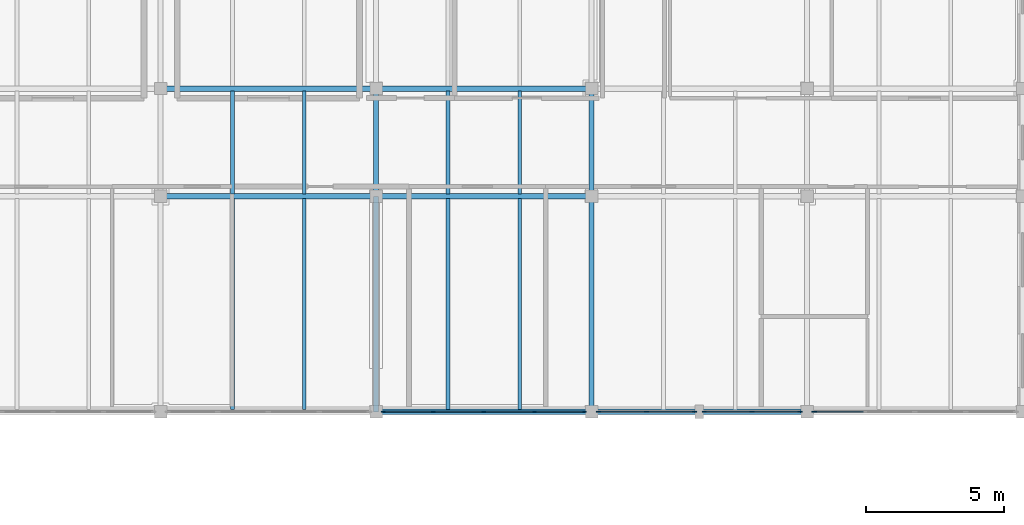
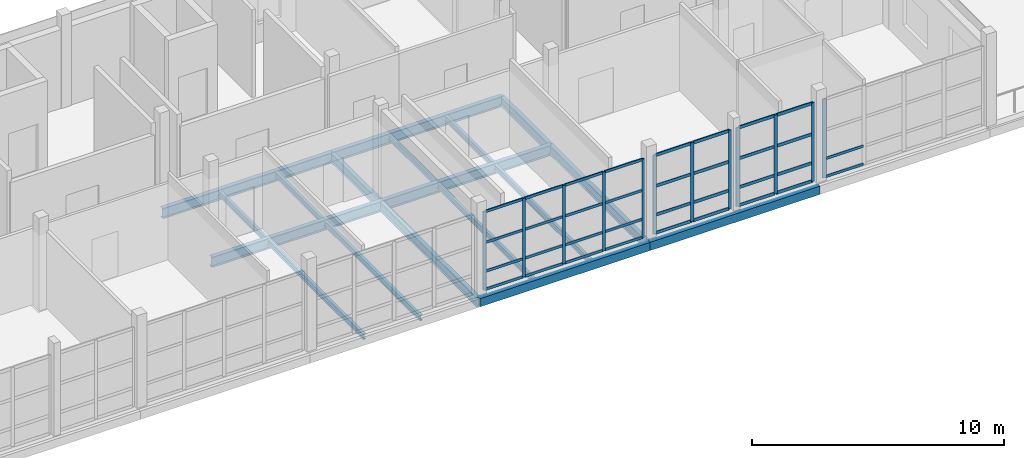
# One storey, part 10 of 45: 46 members, 18 beams, 4 elements without a shape of their own.
"""IFC4 building model written with IfcOpenShell, lengths in metres."""

from ifc_helpers import new_model, si_unit, direction, frame, origin, origin_2d, place, context, subcontext, project, spatial, rectangle, hollow_rectangle, i_section, extrude, material, layer, layer_set, material_profile, profile_set, type_object, element, aggregate, save


model = new_model("IFC4")

# Units and contexts
model_context = context("Model", 3, precision=1e-05, world=origin(), true_north=direction((0.0, 1.0)))
body_context = subcontext(model_context, "Body", "Model", "MODEL_VIEW")
ifc_project = project(units=[si_unit("LENGTHUNIT", "METRE"), si_unit("AREAUNIT", "SQUARE_METRE"), si_unit("VOLUMEUNIT", "CUBIC_METRE"), si_unit("PLANEANGLEUNIT", "RADIAN"), si_unit("MASSUNIT", "GRAM", prefix="KILO")], contexts=[model_context])

# Site, building, storey
site_placement = place(None, origin())
site = spatial("IfcSite", under=ifc_project, at=site_placement, CompositionType="ELEMENT")
building_placement = place(site_placement, origin())
building = spatial("IfcBuilding", under=site, at=building_placement, Name="Celorna Specialist Clinic", CompositionType="ELEMENT")
storey_placement = place(building_placement, frame((0.0, 0.0, 18.60009765625)))
storey = spatial("IfcBuildingStorey", under=building, at=storey_placement, Name="L04", CompositionType="ELEMENT", Elevation=18.60009765625)

# Beams
ifc_material_1 = material(Name="Steel S355", Category="steel")
ifc_material_profile_1 = material_profile(ifc_material_1, i_section(OverallWidth=0.199951171875, OverallDepth=0.5, WebThickness=0.01025390625, FlangeThickness=0.01611328125, at=origin_2d()), Name="IPE 500")
ifc_profile_set_1 = profile_set([ifc_material_profile_1], Name="Steel S355")
beam_type_1 = type_object("IfcBeamType", Name="BM-08", PredefinedType="BEAM", material=ifc_profile_set_1)
for number, where, z_axis, x_axis, name in (
    (1, (62.39990234375, 104.300048828125, -0.530029296875), (1.0, 0.0, 0.0), (0.0, 1.0, 0.0), "Primary girder BM-08 #1347"),
    (2, (70.199951171875, 104.300048828125, -0.530029296875), (1.0, 0.0, 0.0), (0.0, 1.0, 0.0), "Primary girder BM-08 #1348"),
    (3, (62.39990234375, 108.199951171875, -0.530029296875), (1.0, 0.0, 0.0), (0.0, 1.0, 0.0), "Primary girder BM-08 #1353"),
    (4, (70.199951171875, 108.199951171875, -0.530029296875), (1.0, 0.0, 0.0), (0.0, 1.0, 0.0), "Primary girder BM-08 #1354"),
):
    element("IfcBeam", number, at=place(storey_placement, frame(where, z_axis=z_axis, x_axis=x_axis)), inside=storey, type_object=beam_type_1, Name=name, PredefinedType="BEAM", context=body_context, shape_type="SweptSolid", body=[
        extrude(i_section(OverallWidth=0.199951171875, OverallDepth=0.5, WebThickness=0.01025390625, FlangeThickness=0.01611328125, at=origin_2d()), origin(), (0.0, 0.0, 1.0), 7.800048828125),
    ])
ifc_material_profile_2 = material_profile(ifc_material_1, i_section(OverallWidth=0.18994140625, OverallDepth=0.449951171875, WebThickness=0.009521484375, FlangeThickness=0.0146484375, at=origin_2d()), Name="IPE 450")
ifc_profile_set_2 = profile_set([ifc_material_profile_2], Name="Steel S355")
beam_type_2 = type_object("IfcBeamType", Name="BM-09", PredefinedType="BEAM", material=ifc_profile_set_2)
beam_1_placement = place(storey_placement, frame((70.199951171875, 96.5, -0.505126953125), z_axis=(0.0, 1.0, 0.0), x_axis=(-1.0, 0.0, 0.0)))
element("IfcBeam", 5, at=beam_1_placement, inside=storey, type_object=beam_type_2, Name="Transverse girder BM-09 #1372", PredefinedType="BEAM", context=body_context, shape_type="SweptSolid", body=[
    extrude(i_section(OverallWidth=0.18994140625, OverallDepth=0.449951171875, WebThickness=0.009521484375, FlangeThickness=0.0146484375, at=origin_2d()), origin(), (0.0, 0.0, 1.0), 7.800048828125),
])
beam_2_placement = place(storey_placement, frame((70.199951171875, 104.300048828125, -0.505126953125), z_axis=(0.0, 1.0, 0.0), x_axis=(-1.0, 0.0, 0.0)))
element("IfcBeam", 6, at=beam_2_placement, inside=storey, type_object=beam_type_2, Name="Transverse girder BM-09 #1373", PredefinedType="BEAM", context=body_context, shape_type="SweptSolid", body=[
    extrude(i_section(OverallWidth=0.18994140625, OverallDepth=0.449951171875, WebThickness=0.009521484375, FlangeThickness=0.0146484375, at=origin_2d()), origin(), (0.0, 0.0, 1.0), 3.89990234375),
])
beam_3_placement = place(storey_placement, frame((78.0, 96.5, -0.505126953125), z_axis=(0.0, 1.0, 0.0), x_axis=(-1.0, 0.0, 0.0)))
element("IfcBeam", 7, at=beam_3_placement, inside=storey, type_object=beam_type_2, Name="Transverse girder BM-09 #1375", PredefinedType="BEAM", context=body_context, shape_type="SweptSolid", body=[
    extrude(i_section(OverallWidth=0.18994140625, OverallDepth=0.449951171875, WebThickness=0.009521484375, FlangeThickness=0.0146484375, at=origin_2d()), origin(), (0.0, 0.0, 1.0), 7.800048828125),
])
beam_4_placement = place(storey_placement, frame((78.0, 104.300048828125, -0.505126953125), z_axis=(0.0, 1.0, 0.0), x_axis=(-1.0, 0.0, 0.0)))
element("IfcBeam", 8, at=beam_4_placement, inside=storey, type_object=beam_type_2, Name="Transverse girder BM-09 #1376", PredefinedType="BEAM", context=body_context, shape_type="SweptSolid", body=[
    extrude(i_section(OverallWidth=0.18994140625, OverallDepth=0.449951171875, WebThickness=0.009521484375, FlangeThickness=0.0146484375, at=origin_2d()), origin(), (0.0, 0.0, 1.0), 3.89990234375),
])
ifc_material_profile_3 = material_profile(ifc_material_1, i_section(OverallWidth=0.135009765625, OverallDepth=0.27001953125, WebThickness=0.006591796875, FlangeThickness=0.01025390625, at=origin_2d()), Name="IPE 270")
ifc_profile_set_3 = profile_set([ifc_material_profile_3], Name="Steel S355")
beam_type_3 = type_object("IfcBeamType", Name="BM-14", PredefinedType="JOIST", material=ifc_profile_set_3)
for number, where, z_axis, x_axis, name in (
    (9, (65.0, 96.587890625, -0.4150390625), (0.0, 1.0, 0.0), (-1.0, 0.0, 0.0), "Secondary floor joist BM-14 #1394"),
    (10, (67.60009765625, 96.587890625, -0.4150390625), (0.0, 1.0, 0.0), (-1.0, 0.0, 0.0), "Secondary floor joist BM-14 #1395"),
):
    element("IfcBeam", number, at=place(storey_placement, frame(where, z_axis=z_axis, x_axis=x_axis)), inside=storey, type_object=beam_type_3, Name=name, PredefinedType="JOIST", context=body_context, shape_type="SweptSolid", body=[
        extrude(i_section(OverallWidth=0.135009765625, OverallDepth=0.27001953125, WebThickness=0.006591796875, FlangeThickness=0.01025390625, at=origin_2d()), origin(), (0.0, 0.0, 1.0), 7.6240234375),
    ])
for number, where, z_axis, x_axis, name in (
    (11, (65.0, 104.387939453125, -0.4150390625), (0.0, 1.0, 0.0), (-1.0, 0.0, 0.0), "Secondary floor joist BM-14 #1396"),
    (12, (67.60009765625, 104.387939453125, -0.4150390625), (0.0, 1.0, 0.0), (-1.0, 0.0, 0.0), "Secondary floor joist BM-14 #1397"),
):
    element("IfcBeam", number, at=place(storey_placement, frame(where, z_axis=z_axis, x_axis=x_axis)), inside=storey, type_object=beam_type_3, Name=name, PredefinedType="JOIST", context=body_context, shape_type="SweptSolid", body=[
        extrude(i_section(OverallWidth=0.135009765625, OverallDepth=0.27001953125, WebThickness=0.006591796875, FlangeThickness=0.01025390625, at=origin_2d()), origin(), (0.0, 0.0, 1.0), 3.72412109375),
    ])
for number, where, z_axis, x_axis, name in (
    (13, (72.800048828125, 96.587890625, -0.4150390625), (0.0, 1.0, 0.0), (-1.0, 0.0, 0.0), "Secondary floor joist BM-14 #1400"),
    (14, (75.39990234375, 96.587890625, -0.4150390625), (0.0, 1.0, 0.0), (-1.0, 0.0, 0.0), "Secondary floor joist BM-14 #1401"),
):
    element("IfcBeam", number, at=place(storey_placement, frame(where, z_axis=z_axis, x_axis=x_axis)), inside=storey, type_object=beam_type_3, Name=name, PredefinedType="JOIST", context=body_context, shape_type="SweptSolid", body=[
        extrude(i_section(OverallWidth=0.135009765625, OverallDepth=0.27001953125, WebThickness=0.006591796875, FlangeThickness=0.01025390625, at=origin_2d()), origin(), (0.0, 0.0, 1.0), 7.6240234375),
    ])
for number, where, z_axis, x_axis, name in (
    (15, (72.800048828125, 104.387939453125, -0.4150390625), (0.0, 1.0, 0.0), (-1.0, 0.0, 0.0), "Secondary floor joist BM-14 #1402"),
    (16, (75.39990234375, 104.387939453125, -0.4150390625), (0.0, 1.0, 0.0), (-1.0, 0.0, 0.0), "Secondary floor joist BM-14 #1403"),
):
    element("IfcBeam", number, at=place(storey_placement, frame(where, z_axis=z_axis, x_axis=x_axis)), inside=storey, type_object=beam_type_3, Name=name, PredefinedType="JOIST", context=body_context, shape_type="SweptSolid", body=[
        extrude(i_section(OverallWidth=0.135009765625, OverallDepth=0.27001953125, WebThickness=0.006591796875, FlangeThickness=0.01025390625, at=origin_2d()), origin(), (0.0, 0.0, 1.0), 3.72412109375),
    ])
ifc_material_profile_4 = material_profile(ifc_material_1, hollow_rectangle(XDim=0.199951171875, YDim=0.39990234375, WallThickness=0.011962890625, at=origin_2d()), Name="RHS 200x400x12")
ifc_profile_set_4 = profile_set([ifc_material_profile_4], Name="Steel S355")
beam_type_4 = type_object("IfcBeamType", Name="BM-15", PredefinedType="SPANDREL", material=ifc_profile_set_4)
for number, where, z_axis, x_axis, name in (
    (17, (70.199951171875, 96.5, -0.47998046875), (1.0, 0.0, 0.0), (0.0, 1.0, 0.0), "Spandrel beam BM-15 #1342"),
    (18, (78.0, 96.5, -0.47998046875), (1.0, 0.0, 0.0), (0.0, 1.0, 0.0), "Spandrel beam BM-15 #1343"),
):
    element("IfcBeam", number, at=place(storey_placement, frame(where, z_axis=z_axis, x_axis=x_axis)), inside=storey, type_object=beam_type_4, Name=name, PredefinedType="SPANDREL", context=body_context, shape_type="SweptSolid", body=[
        extrude(hollow_rectangle(XDim=0.199951171875, YDim=0.39990234375, WallThickness=0.011962890625, at=origin_2d()), origin(), (0.0, 0.0, 1.0), 7.800048828125),
    ])

# Curtain wall, members
ifc_material_2 = material(Name="Thermally broken aluminium and solar-control glass curtain wall", Category="aluminium")
ifc_layer_1 = layer(ifc_material_2, 0.159912109375, Name="Thermally broken aluminium and solar-control glass curtain wall")
ifc_layer_set_1 = layer_set([ifc_layer_1], Name="Thermally broken aluminium and solar-control glass curtain wall")
curtain_wall_type_1 = type_object("IfcCurtainWallType", Name="CW-76", PredefinedType="NOTDEFINED", material=ifc_layer_set_1)
curtain_wall_1_placement = place(storey_placement, origin())
curtain_wall_1 = element("IfcCurtainWall", 19, at=curtain_wall_1_placement, inside=storey, type_object=curtain_wall_type_1, Name="Curtain wall CW-76 #142", PredefinedType="NOTDEFINED")
ifc_material_3 = material(Name="Anodized aluminium mullion", Category="aluminium")
ifc_material_profile_5 = material_profile(ifc_material_3, rectangle(XDim=0.050048828125, YDim=0.159912109375, at=origin_2d()), Name="ALU MULLION 50x160")
ifc_profile_set_5 = profile_set([ifc_material_profile_5], Name="Anodized aluminium mullion")
member_type_1 = type_object("IfcMemberType", Name="ML-01", PredefinedType="MULLION", material=ifc_profile_set_5)
member_1_placement = place(storey_placement, frame((85.5458984375, 96.5, 0.0), z_axis=(0.0, 0.0, 1.0), x_axis=(0.0, -1.0, 0.0)))
member_1 = element("IfcMember", 20, at=member_1_placement, type_object=member_type_1, Name="CW-76 mullion 1", PredefinedType="MULLION", context=body_context, shape_type="SweptSolid", body=[
    extrude(rectangle(XDim=0.050048828125, YDim=0.159912109375, at=origin_2d()), origin(), (0.0, 0.0, 1.0), 3.81982421875),
])
member_2_placement = place(storey_placement, frame((83.8125, 96.5, 0.0), z_axis=(0.0, 0.0, 1.0), x_axis=(0.0, -1.0, 0.0)))
member_2 = element("IfcMember", 21, at=member_2_placement, type_object=member_type_1, Name="CW-76 mullion 2", PredefinedType="MULLION", context=body_context, shape_type="SweptSolid", body=[
    extrude(rectangle(XDim=0.050048828125, YDim=0.159912109375, at=origin_2d()), origin(), (0.0, 0.0, 1.0), 3.81982421875),
])
member_3_placement = place(storey_placement, frame((82.0791015625, 96.5, 0.0), z_axis=(0.0, 0.0, 1.0), x_axis=(0.0, -1.0, 0.0)))
member_3 = element("IfcMember", 22, at=member_3_placement, type_object=member_type_1, Name="CW-76 mullion 3", PredefinedType="MULLION", context=body_context, shape_type="SweptSolid", body=[
    extrude(rectangle(XDim=0.050048828125, YDim=0.159912109375, at=origin_2d()), origin(), (0.0, 0.0, 1.0), 3.81982421875),
])

curtain_wall_2_placement = place(storey_placement, origin())
curtain_wall_2 = element("IfcCurtainWall", 23, at=curtain_wall_2_placement, inside=storey, type_object=curtain_wall_type_1, Name="Curtain wall CW-76 #143", PredefinedType="NOTDEFINED")
member_4_placement = place(storey_placement, frame((81.720947265625, 96.5, 0.0), z_axis=(0.0, 0.0, 1.0), x_axis=(0.0, -1.0, 0.0)))
member_4 = element("IfcMember", 24, at=member_4_placement, type_object=member_type_1, Name="CW-76 mullion 1", PredefinedType="MULLION", context=body_context, shape_type="SweptSolid", body=[
    extrude(rectangle(XDim=0.050048828125, YDim=0.159912109375, at=origin_2d()), origin(), (0.0, 0.0, 1.0), 3.81982421875),
])
member_5_placement = place(storey_placement, frame((79.987548828125, 96.5, 0.0), z_axis=(0.0, 0.0, 1.0), x_axis=(0.0, -1.0, 0.0)))
member_5 = element("IfcMember", 25, at=member_5_placement, type_object=member_type_1, Name="CW-76 mullion 2", PredefinedType="MULLION", context=body_context, shape_type="SweptSolid", body=[
    extrude(rectangle(XDim=0.050048828125, YDim=0.159912109375, at=origin_2d()), origin(), (0.0, 0.0, 1.0), 3.81982421875),
])
member_6_placement = place(storey_placement, frame((78.25390625, 96.5, 0.0), z_axis=(0.0, 0.0, 1.0), x_axis=(0.0, -1.0, 0.0)))
member_6 = element("IfcMember", 26, at=member_6_placement, type_object=member_type_1, Name="CW-76 mullion 3", PredefinedType="MULLION", context=body_context, shape_type="SweptSolid", body=[
    extrude(rectangle(XDim=0.050048828125, YDim=0.159912109375, at=origin_2d()), origin(), (0.0, 0.0, 1.0), 3.81982421875),
])

# Curtain wall, member
ifc_layer_2 = layer(ifc_material_2, 0.159912109375, Name="Thermally broken aluminium and solar-control glass curtain wall")
ifc_layer_set_2 = layer_set([ifc_layer_2], Name="Thermally broken aluminium and solar-control glass curtain wall")
curtain_wall_type_2 = type_object("IfcCurtainWallType", Name="CW-74", PredefinedType="NOTDEFINED", material=ifc_layer_set_2)
curtain_wall_3_placement = place(storey_placement, origin())
curtain_wall_3 = element("IfcCurtainWall", 27, at=curtain_wall_3_placement, inside=storey, type_object=curtain_wall_type_2, Name="Curtain wall CW-74 #144", PredefinedType="NOTDEFINED")
ifc_material_profile_6 = material_profile(ifc_material_3, rectangle(XDim=0.050048828125, YDim=0.179931640625, at=origin_2d()), Name="ALU MULLION 50x180")
ifc_profile_set_6 = profile_set([ifc_material_profile_6], Name="Anodized aluminium mullion")
member_type_2 = type_object("IfcMemberType", Name="ML-02", PredefinedType="MULLION", material=ifc_profile_set_6)
member_7_placement = place(storey_placement, frame((86.053955078125, 96.5, 0.0), z_axis=(0.0, 0.0, 1.0), x_axis=(0.0, -1.0, 0.0)))
member_7 = element("IfcMember", 28, at=member_7_placement, type_object=member_type_2, Name="CW-74 mullion 5", PredefinedType="MULLION", context=body_context, shape_type="SweptSolid", body=[
    extrude(rectangle(XDim=0.050048828125, YDim=0.179931640625, at=origin_2d()), origin(), (0.0, 0.0, 1.0), 3.81982421875),
])

# Curtain wall, members
ifc_layer_3 = layer(ifc_material_2, 0.159912109375, Name="Thermally broken aluminium and solar-control glass curtain wall")
ifc_layer_set_3 = layer_set([ifc_layer_3], Name="Thermally broken aluminium and solar-control glass curtain wall")
curtain_wall_type_3 = type_object("IfcCurtainWallType", Name="CW-75", PredefinedType="NOTDEFINED", material=ifc_layer_set_3)
curtain_wall_4_placement = place(storey_placement, origin())
curtain_wall_4 = element("IfcCurtainWall", 29, at=curtain_wall_4_placement, inside=storey, type_object=curtain_wall_type_3, Name="Curtain wall CW-75 #141", PredefinedType="NOTDEFINED")
ifc_material_profile_7 = material_profile(ifc_material_3, rectangle(XDim=0.050048828125, YDim=0.139892578125, at=origin_2d()), Name="ALU MULLION 50x140")
ifc_profile_set_7 = profile_set([ifc_material_profile_7], Name="Anodized aluminium mullion")
member_type_3 = type_object("IfcMemberType", Name="ML-03", PredefinedType="MULLION", material=ifc_profile_set_7)
member_8_placement = place(storey_placement, frame((77.74609375, 96.5, 0.0), z_axis=(0.0, 0.0, 1.0), x_axis=(0.0, -1.0, 0.0)))
member_8 = element("IfcMember", 30, at=member_8_placement, type_object=member_type_3, Name="CW-75 mullion 1", PredefinedType="MULLION", context=body_context, shape_type="SweptSolid", body=[
    extrude(rectangle(XDim=0.050048828125, YDim=0.139892578125, at=origin_2d()), origin(), (0.0, 0.0, 1.0), 3.81982421875),
])
member_9_placement = place(storey_placement, frame((75.935546875, 96.5, 0.0), z_axis=(0.0, 0.0, 1.0), x_axis=(0.0, -1.0, 0.0)))
member_9 = element("IfcMember", 31, at=member_9_placement, type_object=member_type_3, Name="CW-75 mullion 2", PredefinedType="MULLION", context=body_context, shape_type="SweptSolid", body=[
    extrude(rectangle(XDim=0.050048828125, YDim=0.139892578125, at=origin_2d()), origin(), (0.0, 0.0, 1.0), 3.81982421875),
])
member_10_placement = place(storey_placement, frame((74.10009765625, 96.5, 0.0), z_axis=(0.0, 0.0, 1.0), x_axis=(0.0, -1.0, 0.0)))
member_10 = element("IfcMember", 32, at=member_10_placement, type_object=member_type_3, Name="CW-75 mullion 3", PredefinedType="MULLION", context=body_context, shape_type="SweptSolid", body=[
    extrude(rectangle(XDim=0.050048828125, YDim=0.139892578125, at=origin_2d()), origin(), (0.0, 0.0, 1.0), 3.81982421875),
])
member_11_placement = place(storey_placement, frame((72.264404296875, 96.5, 0.0), z_axis=(0.0, 0.0, 1.0), x_axis=(0.0, -1.0, 0.0)))
member_11 = element("IfcMember", 33, at=member_11_placement, type_object=member_type_3, Name="CW-75 mullion 4", PredefinedType="MULLION", context=body_context, shape_type="SweptSolid", body=[
    extrude(rectangle(XDim=0.050048828125, YDim=0.139892578125, at=origin_2d()), origin(), (0.0, 0.0, 1.0), 3.81982421875),
])
member_12_placement = place(storey_placement, frame((70.4541015625, 96.5, 0.0), z_axis=(0.0, 0.0, 1.0), x_axis=(0.0, -1.0, 0.0)))
member_12 = element("IfcMember", 34, at=member_12_placement, type_object=member_type_3, Name="CW-75 mullion 5", PredefinedType="MULLION", context=body_context, shape_type="SweptSolid", body=[
    extrude(rectangle(XDim=0.050048828125, YDim=0.139892578125, at=origin_2d()), origin(), (0.0, 0.0, 1.0), 3.81982421875),
])
ifc_material_4 = material(Name="Anodized aluminium transom", Category="aluminium")
ifc_material_profile_8 = material_profile(ifc_material_4, rectangle(XDim=0.050048828125, YDim=0.1298828125, at=origin_2d()), Name="ALU TRANSOM 50x130")
ifc_profile_set_8 = profile_set([ifc_material_profile_8], Name="Anodized aluminium transom")
member_type_4 = type_object("IfcMemberType", Name="TR-01", PredefinedType="USERDEFINED", material=ifc_profile_set_8)
member_13_placement = place(storey_placement, frame((77.720947265625, 96.5, 0.02490234375), z_axis=(-1.0, 0.0, 0.0), x_axis=(0.0, -1.0, 0.0)))
member_13 = element("IfcMember", 35, at=member_13_placement, type_object=member_type_4, Name="CW-75 transom 1.1", ObjectType="TRANSOM", PredefinedType="USERDEFINED", context=body_context, shape_type="SweptSolid", body=[
    extrude(rectangle(XDim=0.050048828125, YDim=0.1298828125, at=origin_2d()), origin(), (0.0, 0.0, 1.0), 1.760498046875),
])
member_14_placement = place(storey_placement, frame((77.720947265625, 96.5, 0.89990234375), z_axis=(-1.0, 0.0, 0.0), x_axis=(0.0, -1.0, 0.0)))
member_14 = element("IfcMember", 36, at=member_14_placement, type_object=member_type_4, Name="CW-75 transom 1.2", ObjectType="TRANSOM", PredefinedType="USERDEFINED", context=body_context, shape_type="SweptSolid", body=[
    extrude(rectangle(XDim=0.050048828125, YDim=0.1298828125, at=origin_2d()), origin(), (0.0, 0.0, 1.0), 1.760498046875),
])
member_15_placement = place(storey_placement, frame((77.720947265625, 96.5, 2.2998046875), z_axis=(-1.0, 0.0, 0.0), x_axis=(0.0, -1.0, 0.0)))
member_15 = element("IfcMember", 37, at=member_15_placement, type_object=member_type_4, Name="CW-75 transom 1.3", ObjectType="TRANSOM", PredefinedType="USERDEFINED", context=body_context, shape_type="SweptSolid", body=[
    extrude(rectangle(XDim=0.050048828125, YDim=0.1298828125, at=origin_2d()), origin(), (0.0, 0.0, 1.0), 1.760498046875),
])
member_16_placement = place(storey_placement, frame((77.720947265625, 96.5, 3.794921875), z_axis=(-1.0, 0.0, 0.0), x_axis=(0.0, -1.0, 0.0)))
member_16 = element("IfcMember", 38, at=member_16_placement, type_object=member_type_4, Name="CW-75 transom 1.4", ObjectType="TRANSOM", PredefinedType="USERDEFINED", context=body_context, shape_type="SweptSolid", body=[
    extrude(rectangle(XDim=0.050048828125, YDim=0.1298828125, at=origin_2d()), origin(), (0.0, 0.0, 1.0), 1.760498046875),
])
member_17_placement = place(storey_placement, frame((75.910400390625, 96.5, 0.02490234375), z_axis=(-1.0, 0.0, 0.0), x_axis=(0.0, -1.0, 0.0)))
member_17 = element("IfcMember", 39, at=member_17_placement, type_object=member_type_4, Name="CW-75 transom 2.1", ObjectType="TRANSOM", PredefinedType="USERDEFINED", context=body_context, shape_type="SweptSolid", body=[
    extrude(rectangle(XDim=0.050048828125, YDim=0.1298828125, at=origin_2d()), origin(), (0.0, 0.0, 1.0), 1.785400390625),
])
member_18_placement = place(storey_placement, frame((75.910400390625, 96.5, 0.89990234375), z_axis=(-1.0, 0.0, 0.0), x_axis=(0.0, -1.0, 0.0)))
member_18 = element("IfcMember", 40, at=member_18_placement, type_object=member_type_4, Name="CW-75 transom 2.2", ObjectType="TRANSOM", PredefinedType="USERDEFINED", context=body_context, shape_type="SweptSolid", body=[
    extrude(rectangle(XDim=0.050048828125, YDim=0.1298828125, at=origin_2d()), origin(), (0.0, 0.0, 1.0), 1.785400390625),
])
member_19_placement = place(storey_placement, frame((75.910400390625, 96.5, 2.2998046875), z_axis=(-1.0, 0.0, 0.0), x_axis=(0.0, -1.0, 0.0)))
member_19 = element("IfcMember", 41, at=member_19_placement, type_object=member_type_4, Name="CW-75 transom 2.3", ObjectType="TRANSOM", PredefinedType="USERDEFINED", context=body_context, shape_type="SweptSolid", body=[
    extrude(rectangle(XDim=0.050048828125, YDim=0.1298828125, at=origin_2d()), origin(), (0.0, 0.0, 1.0), 1.785400390625),
])
member_20_placement = place(storey_placement, frame((75.910400390625, 96.5, 3.794921875), z_axis=(-1.0, 0.0, 0.0), x_axis=(0.0, -1.0, 0.0)))
member_20 = element("IfcMember", 42, at=member_20_placement, type_object=member_type_4, Name="CW-75 transom 2.4", ObjectType="TRANSOM", PredefinedType="USERDEFINED", context=body_context, shape_type="SweptSolid", body=[
    extrude(rectangle(XDim=0.050048828125, YDim=0.1298828125, at=origin_2d()), origin(), (0.0, 0.0, 1.0), 1.785400390625),
])
member_21_placement = place(storey_placement, frame((74.074951171875, 96.5, 0.02490234375), z_axis=(-1.0, 0.0, 0.0), x_axis=(0.0, -1.0, 0.0)))
member_21 = element("IfcMember", 43, at=member_21_placement, type_object=member_type_4, Name="CW-75 transom 3.1", ObjectType="TRANSOM", PredefinedType="USERDEFINED", context=body_context, shape_type="SweptSolid", body=[
    extrude(rectangle(XDim=0.050048828125, YDim=0.1298828125, at=origin_2d()), origin(), (0.0, 0.0, 1.0), 1.785400390625),
])
member_22_placement = place(storey_placement, frame((74.074951171875, 96.5, 0.89990234375), z_axis=(-1.0, 0.0, 0.0), x_axis=(0.0, -1.0, 0.0)))
member_22 = element("IfcMember", 44, at=member_22_placement, type_object=member_type_4, Name="CW-75 transom 3.2", ObjectType="TRANSOM", PredefinedType="USERDEFINED", context=body_context, shape_type="SweptSolid", body=[
    extrude(rectangle(XDim=0.050048828125, YDim=0.1298828125, at=origin_2d()), origin(), (0.0, 0.0, 1.0), 1.785400390625),
])
member_23_placement = place(storey_placement, frame((74.074951171875, 96.5, 2.2998046875), z_axis=(-1.0, 0.0, 0.0), x_axis=(0.0, -1.0, 0.0)))
member_23 = element("IfcMember", 45, at=member_23_placement, type_object=member_type_4, Name="CW-75 transom 3.3", ObjectType="TRANSOM", PredefinedType="USERDEFINED", context=body_context, shape_type="SweptSolid", body=[
    extrude(rectangle(XDim=0.050048828125, YDim=0.1298828125, at=origin_2d()), origin(), (0.0, 0.0, 1.0), 1.785400390625),
])
member_24_placement = place(storey_placement, frame((74.074951171875, 96.5, 3.794921875), z_axis=(-1.0, 0.0, 0.0), x_axis=(0.0, -1.0, 0.0)))
member_24 = element("IfcMember", 46, at=member_24_placement, type_object=member_type_4, Name="CW-75 transom 3.4", ObjectType="TRANSOM", PredefinedType="USERDEFINED", context=body_context, shape_type="SweptSolid", body=[
    extrude(rectangle(XDim=0.050048828125, YDim=0.1298828125, at=origin_2d()), origin(), (0.0, 0.0, 1.0), 1.785400390625),
])
member_25_placement = place(storey_placement, frame((72.239501953125, 96.5, 0.02490234375), z_axis=(-1.0, 0.0, 0.0), x_axis=(0.0, -1.0, 0.0)))
member_25 = element("IfcMember", 47, at=member_25_placement, type_object=member_type_4, Name="CW-75 transom 4.1", ObjectType="TRANSOM", PredefinedType="USERDEFINED", context=body_context, shape_type="SweptSolid", body=[
    extrude(rectangle(XDim=0.050048828125, YDim=0.1298828125, at=origin_2d()), origin(), (0.0, 0.0, 1.0), 1.760498046875),
])
member_26_placement = place(storey_placement, frame((72.239501953125, 96.5, 0.89990234375), z_axis=(-1.0, 0.0, 0.0), x_axis=(0.0, -1.0, 0.0)))
member_26 = element("IfcMember", 48, at=member_26_placement, type_object=member_type_4, Name="CW-75 transom 4.2", ObjectType="TRANSOM", PredefinedType="USERDEFINED", context=body_context, shape_type="SweptSolid", body=[
    extrude(rectangle(XDim=0.050048828125, YDim=0.1298828125, at=origin_2d()), origin(), (0.0, 0.0, 1.0), 1.760498046875),
])
member_27_placement = place(storey_placement, frame((72.239501953125, 96.5, 2.2998046875), z_axis=(-1.0, 0.0, 0.0), x_axis=(0.0, -1.0, 0.0)))
member_27 = element("IfcMember", 49, at=member_27_placement, type_object=member_type_4, Name="CW-75 transom 4.3", ObjectType="TRANSOM", PredefinedType="USERDEFINED", context=body_context, shape_type="SweptSolid", body=[
    extrude(rectangle(XDim=0.050048828125, YDim=0.1298828125, at=origin_2d()), origin(), (0.0, 0.0, 1.0), 1.760498046875),
])
member_28_placement = place(storey_placement, frame((72.239501953125, 96.5, 3.794921875), z_axis=(-1.0, 0.0, 0.0), x_axis=(0.0, -1.0, 0.0)))
member_28 = element("IfcMember", 50, at=member_28_placement, type_object=member_type_4, Name="CW-75 transom 4.4", ObjectType="TRANSOM", PredefinedType="USERDEFINED", context=body_context, shape_type="SweptSolid", body=[
    extrude(rectangle(XDim=0.050048828125, YDim=0.1298828125, at=origin_2d()), origin(), (0.0, 0.0, 1.0), 1.760498046875),
])
aggregate(curtain_wall_4, [member_8, member_9, member_10, member_11, member_12, member_13, member_14, member_15, member_16, member_17, member_18, member_19, member_20, member_21, member_22, member_23, member_24, member_25, member_26, member_27, member_28])

# Member
member_29_placement = place(storey_placement, frame((87.839599609375, 96.5, 0.02490234375), z_axis=(-1.0, 0.0, 0.0), x_axis=(0.0, -1.0, 0.0)))
member_29 = element("IfcMember", 51, at=member_29_placement, type_object=member_type_4, Name="CW-74 transom 4.1", ObjectType="TRANSOM", PredefinedType="USERDEFINED", context=body_context, shape_type="SweptSolid", body=[
    extrude(rectangle(XDim=0.050048828125, YDim=0.1298828125, at=origin_2d()), origin(), (0.0, 0.0, 1.0), 1.760498046875),
])

member_30_placement = place(storey_placement, frame((87.839599609375, 96.5, 0.89990234375), z_axis=(-1.0, 0.0, 0.0), x_axis=(0.0, -1.0, 0.0)))
member_30 = element("IfcMember", 52, at=member_30_placement, type_object=member_type_4, Name="CW-74 transom 4.2", ObjectType="TRANSOM", PredefinedType="USERDEFINED", context=body_context, shape_type="SweptSolid", body=[
    extrude(rectangle(XDim=0.050048828125, YDim=0.1298828125, at=origin_2d()), origin(), (0.0, 0.0, 1.0), 1.760498046875),
])

aggregate(curtain_wall_3, [member_7, member_29, member_30])

ifc_material_profile_9 = material_profile(ifc_material_4, rectangle(XDim=0.050048828125, YDim=0.14990234375, at=origin_2d()), Name="ALU TRANSOM 50x150")
ifc_profile_set_9 = profile_set([ifc_material_profile_9], Name="Anodized aluminium transom")
member_type_5 = type_object("IfcMemberType", Name="TR-02", PredefinedType="USERDEFINED", material=ifc_profile_set_9)
member_31_placement = place(storey_placement, frame((85.52099609375, 96.5, 0.02490234375), z_axis=(-1.0, 0.0, 0.0), x_axis=(0.0, -1.0, 0.0)))
member_31 = element("IfcMember", 53, at=member_31_placement, type_object=member_type_5, Name="CW-76 transom 1.1", ObjectType="TRANSOM", PredefinedType="USERDEFINED", context=body_context, shape_type="SweptSolid", body=[
    extrude(rectangle(XDim=0.050048828125, YDim=0.14990234375, at=origin_2d()), origin(), (0.0, 0.0, 1.0), 1.68359375),
])

member_32_placement = place(storey_placement, frame((85.52099609375, 96.5, 0.89990234375), z_axis=(-1.0, 0.0, 0.0), x_axis=(0.0, -1.0, 0.0)))
member_32 = element("IfcMember", 54, at=member_32_placement, type_object=member_type_5, Name="CW-76 transom 1.2", ObjectType="TRANSOM", PredefinedType="USERDEFINED", context=body_context, shape_type="SweptSolid", body=[
    extrude(rectangle(XDim=0.050048828125, YDim=0.14990234375, at=origin_2d()), origin(), (0.0, 0.0, 1.0), 1.68359375),
])

member_33_placement = place(storey_placement, frame((85.52099609375, 96.5, 2.2998046875), z_axis=(-1.0, 0.0, 0.0), x_axis=(0.0, -1.0, 0.0)))
member_33 = element("IfcMember", 55, at=member_33_placement, type_object=member_type_5, Name="CW-76 transom 1.3", ObjectType="TRANSOM", PredefinedType="USERDEFINED", context=body_context, shape_type="SweptSolid", body=[
    extrude(rectangle(XDim=0.050048828125, YDim=0.14990234375, at=origin_2d()), origin(), (0.0, 0.0, 1.0), 1.68359375),
])

member_34_placement = place(storey_placement, frame((85.52099609375, 96.5, 3.794921875), z_axis=(-1.0, 0.0, 0.0), x_axis=(0.0, -1.0, 0.0)))
member_34 = element("IfcMember", 56, at=member_34_placement, type_object=member_type_5, Name="CW-76 transom 1.4", ObjectType="TRANSOM", PredefinedType="USERDEFINED", context=body_context, shape_type="SweptSolid", body=[
    extrude(rectangle(XDim=0.050048828125, YDim=0.14990234375, at=origin_2d()), origin(), (0.0, 0.0, 1.0), 1.68359375),
])

member_35_placement = place(storey_placement, frame((83.78759765625, 96.5, 0.02490234375), z_axis=(-1.0, 0.0, 0.0), x_axis=(0.0, -1.0, 0.0)))
member_35 = element("IfcMember", 57, at=member_35_placement, type_object=member_type_5, Name="CW-76 transom 2.1", ObjectType="TRANSOM", PredefinedType="USERDEFINED", context=body_context, shape_type="SweptSolid", body=[
    extrude(rectangle(XDim=0.050048828125, YDim=0.14990234375, at=origin_2d()), origin(), (0.0, 0.0, 1.0), 1.68359375),
])

member_36_placement = place(storey_placement, frame((83.78759765625, 96.5, 0.89990234375), z_axis=(-1.0, 0.0, 0.0), x_axis=(0.0, -1.0, 0.0)))
member_36 = element("IfcMember", 58, at=member_36_placement, type_object=member_type_5, Name="CW-76 transom 2.2", ObjectType="TRANSOM", PredefinedType="USERDEFINED", context=body_context, shape_type="SweptSolid", body=[
    extrude(rectangle(XDim=0.050048828125, YDim=0.14990234375, at=origin_2d()), origin(), (0.0, 0.0, 1.0), 1.68359375),
])

member_37_placement = place(storey_placement, frame((83.78759765625, 96.5, 2.2998046875), z_axis=(-1.0, 0.0, 0.0), x_axis=(0.0, -1.0, 0.0)))
member_37 = element("IfcMember", 59, at=member_37_placement, type_object=member_type_5, Name="CW-76 transom 2.3", ObjectType="TRANSOM", PredefinedType="USERDEFINED", context=body_context, shape_type="SweptSolid", body=[
    extrude(rectangle(XDim=0.050048828125, YDim=0.14990234375, at=origin_2d()), origin(), (0.0, 0.0, 1.0), 1.68359375),
])

member_38_placement = place(storey_placement, frame((83.78759765625, 96.5, 3.794921875), z_axis=(-1.0, 0.0, 0.0), x_axis=(0.0, -1.0, 0.0)))
member_38 = element("IfcMember", 60, at=member_38_placement, type_object=member_type_5, Name="CW-76 transom 2.4", ObjectType="TRANSOM", PredefinedType="USERDEFINED", context=body_context, shape_type="SweptSolid", body=[
    extrude(rectangle(XDim=0.050048828125, YDim=0.14990234375, at=origin_2d()), origin(), (0.0, 0.0, 1.0), 1.68359375),
])

aggregate(curtain_wall_1, [member_1, member_2, member_3, member_31, member_32, member_33, member_34, member_35, member_36, member_37, member_38])

member_39_placement = place(storey_placement, frame((81.696044921875, 96.5, 0.02490234375), z_axis=(-1.0, 0.0, 0.0), x_axis=(0.0, -1.0, 0.0)))
member_39 = element("IfcMember", 61, at=member_39_placement, type_object=member_type_5, Name="CW-76 transom 1.1", ObjectType="TRANSOM", PredefinedType="USERDEFINED", context=body_context, shape_type="SweptSolid", body=[
    extrude(rectangle(XDim=0.050048828125, YDim=0.14990234375, at=origin_2d()), origin(), (0.0, 0.0, 1.0), 1.68359375),
])

member_40_placement = place(storey_placement, frame((81.696044921875, 96.5, 0.89990234375), z_axis=(-1.0, 0.0, 0.0), x_axis=(0.0, -1.0, 0.0)))
member_40 = element("IfcMember", 62, at=member_40_placement, type_object=member_type_5, Name="CW-76 transom 1.2", ObjectType="TRANSOM", PredefinedType="USERDEFINED", context=body_context, shape_type="SweptSolid", body=[
    extrude(rectangle(XDim=0.050048828125, YDim=0.14990234375, at=origin_2d()), origin(), (0.0, 0.0, 1.0), 1.68359375),
])

member_41_placement = place(storey_placement, frame((81.696044921875, 96.5, 2.2998046875), z_axis=(-1.0, 0.0, 0.0), x_axis=(0.0, -1.0, 0.0)))
member_41 = element("IfcMember", 63, at=member_41_placement, type_object=member_type_5, Name="CW-76 transom 1.3", ObjectType="TRANSOM", PredefinedType="USERDEFINED", context=body_context, shape_type="SweptSolid", body=[
    extrude(rectangle(XDim=0.050048828125, YDim=0.14990234375, at=origin_2d()), origin(), (0.0, 0.0, 1.0), 1.68359375),
])

member_42_placement = place(storey_placement, frame((81.696044921875, 96.5, 3.794921875), z_axis=(-1.0, 0.0, 0.0), x_axis=(0.0, -1.0, 0.0)))
member_42 = element("IfcMember", 64, at=member_42_placement, type_object=member_type_5, Name="CW-76 transom 1.4", ObjectType="TRANSOM", PredefinedType="USERDEFINED", context=body_context, shape_type="SweptSolid", body=[
    extrude(rectangle(XDim=0.050048828125, YDim=0.14990234375, at=origin_2d()), origin(), (0.0, 0.0, 1.0), 1.68359375),
])

member_43_placement = place(storey_placement, frame((79.96240234375, 96.5, 0.02490234375), z_axis=(-1.0, 0.0, 0.0), x_axis=(0.0, -1.0, 0.0)))
member_43 = element("IfcMember", 65, at=member_43_placement, type_object=member_type_5, Name="CW-76 transom 2.1", ObjectType="TRANSOM", PredefinedType="USERDEFINED", context=body_context, shape_type="SweptSolid", body=[
    extrude(rectangle(XDim=0.050048828125, YDim=0.14990234375, at=origin_2d()), origin(), (0.0, 0.0, 1.0), 1.683349609375),
])

member_44_placement = place(storey_placement, frame((79.96240234375, 96.5, 0.89990234375), z_axis=(-1.0, 0.0, 0.0), x_axis=(0.0, -1.0, 0.0)))
member_44 = element("IfcMember", 66, at=member_44_placement, type_object=member_type_5, Name="CW-76 transom 2.2", ObjectType="TRANSOM", PredefinedType="USERDEFINED", context=body_context, shape_type="SweptSolid", body=[
    extrude(rectangle(XDim=0.050048828125, YDim=0.14990234375, at=origin_2d()), origin(), (0.0, 0.0, 1.0), 1.683349609375),
])

member_45_placement = place(storey_placement, frame((79.96240234375, 96.5, 2.2998046875), z_axis=(-1.0, 0.0, 0.0), x_axis=(0.0, -1.0, 0.0)))
member_45 = element("IfcMember", 67, at=member_45_placement, type_object=member_type_5, Name="CW-76 transom 2.3", ObjectType="TRANSOM", PredefinedType="USERDEFINED", context=body_context, shape_type="SweptSolid", body=[
    extrude(rectangle(XDim=0.050048828125, YDim=0.14990234375, at=origin_2d()), origin(), (0.0, 0.0, 1.0), 1.683349609375),
])

member_46_placement = place(storey_placement, frame((79.96240234375, 96.5, 3.794921875), z_axis=(-1.0, 0.0, 0.0), x_axis=(0.0, -1.0, 0.0)))
member_46 = element("IfcMember", 68, at=member_46_placement, type_object=member_type_5, Name="CW-76 transom 2.4", ObjectType="TRANSOM", PredefinedType="USERDEFINED", context=body_context, shape_type="SweptSolid", body=[
    extrude(rectangle(XDim=0.050048828125, YDim=0.14990234375, at=origin_2d()), origin(), (0.0, 0.0, 1.0), 1.683349609375),
])

aggregate(curtain_wall_2, [member_4, member_5, member_6, member_39, member_40, member_41, member_42, member_43, member_44, member_45, member_46])

save(model, "model.ifc")
